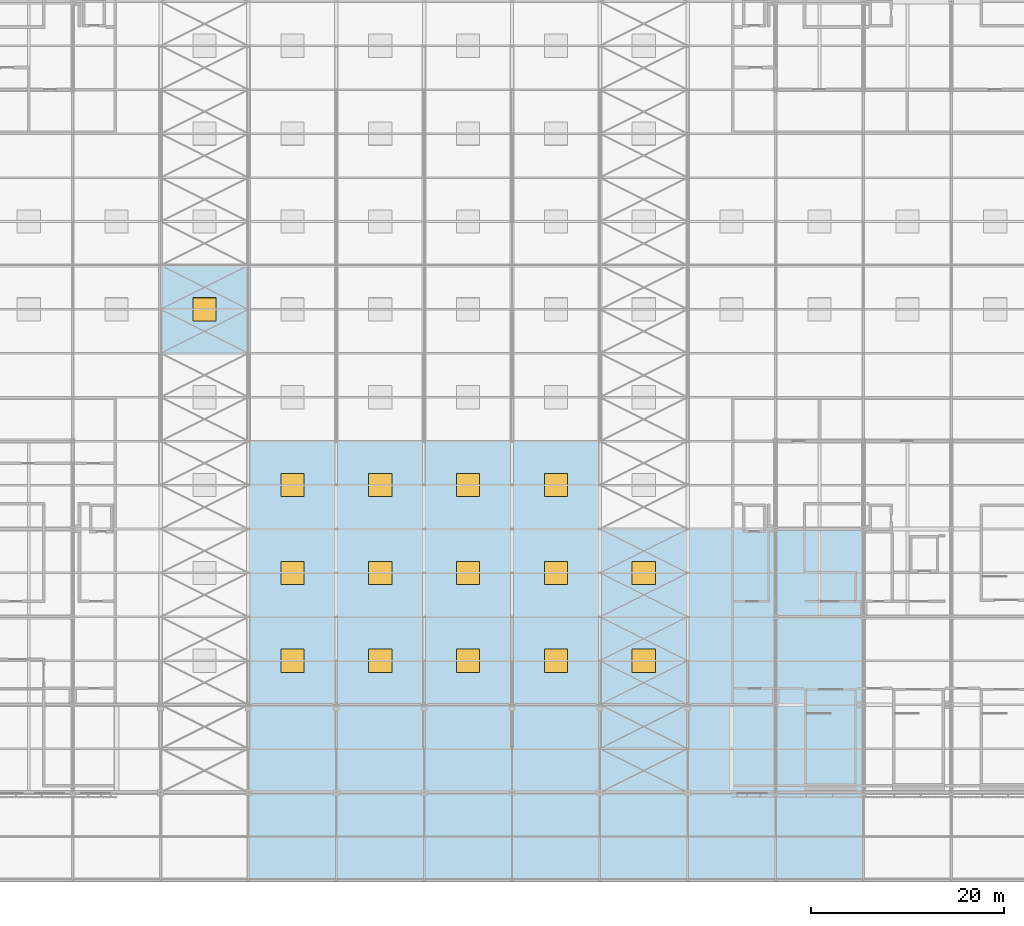
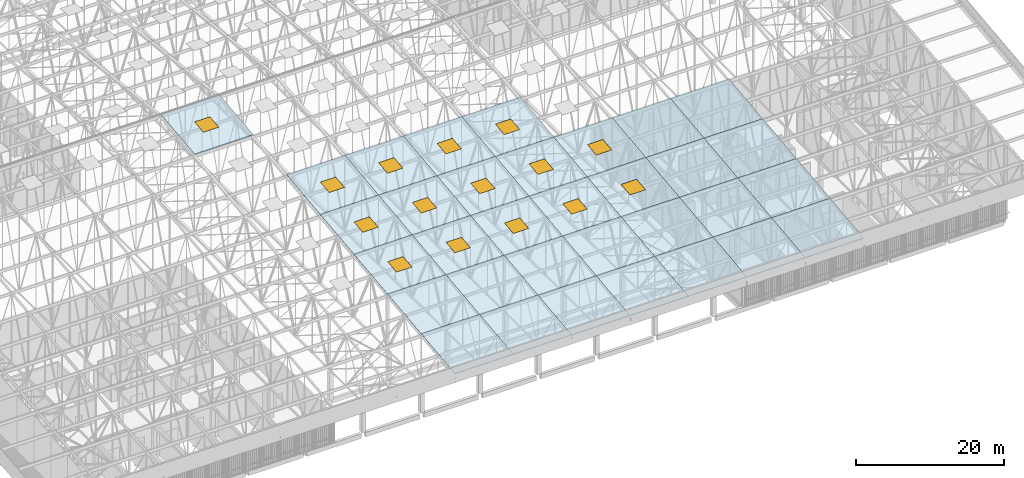
# One storey, part 418 of 500: 33 slabs, 15 windows, 15 openings.
"""IFC4 building model written with IfcOpenShell, lengths in metres."""

from ifc_helpers import new_model, si_unit, direction, frame, origin, origin_2d, place, context, subcontext, project, spatial, polyline, rectangle, outline, extrude, material, layer, layer_set, type_object, element, fill, save


model = new_model("IFC4")

# Units and contexts
model_context = context("Model", 3, precision=1e-05, world=origin(), true_north=direction((0.0, 1.0)))
body_context = subcontext(model_context, "Body", "Model", "MODEL_VIEW")
ifc_project = project(units=[si_unit("LENGTHUNIT", "METRE"), si_unit("AREAUNIT", "SQUARE_METRE"), si_unit("VOLUMEUNIT", "CUBIC_METRE"), si_unit("PLANEANGLEUNIT", "RADIAN"), si_unit("MASSUNIT", "GRAM", prefix="KILO")], contexts=[model_context])

# Site, building, storey
site_placement = place(None, origin())
site = spatial("IfcSite", under=ifc_project, at=site_placement, CompositionType="ELEMENT")
building_placement = place(site_placement, origin())
building = spatial("IfcBuilding", under=site, at=building_placement, Name="Shirokan Park Arena", CompositionType="ELEMENT")
storey_placement = place(building_placement, frame((0.0, 0.0, 29.1201171875)))
storey = spatial("IfcBuildingStorey", under=building, at=storey_placement, Name="L06", CompositionType="ELEMENT", Elevation=29.1201171875)

# Slab, opening, window
ifc_material_1 = material(Name="Concrete C30 precast", Category="concrete")
ifc_layer = layer(ifc_material_1, 0.1201171875)
ifc_layer_set = layer_set([ifc_layer], Name="Concrete C30 precast 120 mm")
slab_type = type_object("IfcSlabType", Name="Roof deck panel 120", PredefinedType="ROOF", material=ifc_layer_set)
slab_1_placement = place(storey_placement, frame((45.5, 45.5, 18.070556640625), z_axis=(0.0, -0.113549598152, 0.993532328996), x_axis=(1.0, 0.0, 0.0)))
slab_1 = element("IfcSlab", 1, at=slab_1_placement, inside=storey, type_object=slab_type, Name="Roof deck panel 7-7", PredefinedType="ROOF", context=body_context, shape_type="SweptSolid", body=[
    extrude(outline(polyline([(0.0, 0.0), (9.10009765625, 0.0), (9.10009765625, 9.15933723611117), (0.0, 9.15933723611117), (0.0, 0.0)]), holes=[polyline([(3.35009765625, 3.371926254389353), (5.75, 3.371926254389353), (5.75, 5.78743870379168), (3.35009765625, 5.78743870379168), (3.35009765625, 3.371926254389353)])]), origin(), (0.0, 0.0, -1.0), 0.1201171875),
])
opening_1_placement = place(slab_1_placement, frame((4.550048828125, 4.57958984375, 0.010009765625)))
opening_1 = element("IfcOpeningElement", 2, at=opening_1_placement, cuts=slab_1, Name="Opening RL1", PredefinedType="OPENING", context=body_context, shape_type="SweptSolid", body=[
    extrude(rectangle(XDim=2.39990234375, YDim=2.4155251658253154, at=origin_2d()), origin(), (0.0, 0.0, -1.0), 0.139892578125),
])
ifc_material_2 = material(Name="Aluminium frame with laminated glass", Category="aluminium")
window_type = type_object("IfcWindowType", Name="Roof light 2400x2400", PartitioningType="SINGLE_PANEL", PredefinedType="SKYLIGHT", material=ifc_material_2)
window_1_placement = place(opening_1_placement, frame((0.0, 0.0, -0.06005859375)))
window_1 = element("IfcWindow", 3, at=window_1_placement, inside=storey, type_object=window_type, Name="Roof light 07-07", OverallHeight=2.4155251658253154, OverallWidth=2.39990234375, PartitioningType="SINGLE_PANEL", PredefinedType="SKYLIGHT", context=body_context, shape_type="SweptSolid", body=[
    extrude(rectangle(XDim=2.39990234375, YDim=2.4155251658253154, at=origin_2d()), origin(), (0.0, 0.0, 1.0), 0.050048828125),
])
fill(opening_1, window_1)

# Slabs
for number, where, z_axis, x_axis, name in (
    (4, (54.60009765625, -9.10009765625, 11.83056640625), (0.0, -0.113549598152, 0.993532328996), (1.0, 0.0, 0.0), "Roof deck panel 8-1"),
    (5, (54.60009765625, 0.0, 12.87060546875), (0.0, -0.113549598152, 0.993532328996), (1.0, 0.0, 0.0), "Roof deck panel 8-2"),
):
    element("IfcSlab", number, at=place(storey_placement, frame(where, z_axis=z_axis, x_axis=x_axis)), inside=storey, type_object=slab_type, Name=name, PredefinedType="ROOF", context=body_context, shape_type="SweptSolid", body=[
        extrude(outline(polyline([(0.0, 0.0), (9.099853515625, 0.0), (9.099853515625, 9.15933723611117), (0.0, 9.15933723611117), (0.0, 0.0)])), origin(), (0.0, 0.0, -1.0), 0.1201171875),
    ])

# Slab, opening, window
slab_2_placement = place(storey_placement, frame((54.60009765625, 9.10009765625, 13.91064453125), z_axis=(0.0, -0.113552605302, 0.993531985308), x_axis=(1.0, 0.0, 0.0)))
slab_2 = element("IfcSlab", 6, at=slab_2_placement, inside=storey, type_object=slab_type, Name="Roof deck panel 8-3", PredefinedType="ROOF", context=body_context, shape_type="SweptSolid", body=[
    extrude(outline(polyline([(0.0, 0.0), (9.099853515625, 0.0), (9.099853515625, 9.159094674549365), (0.0, 9.159094674549365), (0.0, 0.0)]), holes=[polyline([(3.349853515625, 3.371655970585497), (5.75, 3.371655970585497), (5.75, 5.7874387039638675), (3.349853515625, 5.7874387039638675), (3.349853515625, 3.371655970585497)])]), origin(), (0.0, 0.0, -1.0), 0.1201171875),
])
opening_2_placement = place(slab_2_placement, frame((4.5498046875, 4.579345703125, 0.010009765625)))
opening_2 = element("IfcOpeningElement", 7, at=opening_2_placement, cuts=slab_2, Name="Opening RL1", PredefinedType="OPENING", context=body_context, shape_type="SweptSolid", body=[
    extrude(rectangle(XDim=2.39990234375, YDim=2.415526001417119, at=origin_2d()), origin(), (0.0, 0.0, -1.0), 0.139892578125),
])
window_2_placement = place(opening_2_placement, frame((0.0, 0.0, -0.06005859375)))
window_2 = element("IfcWindow", 8, at=window_2_placement, inside=storey, type_object=window_type, Name="Roof light 08-03", OverallHeight=2.415526001417119, OverallWidth=2.39990234375, PartitioningType="SINGLE_PANEL", PredefinedType="SKYLIGHT", context=body_context, shape_type="SweptSolid", body=[
    extrude(rectangle(XDim=2.39990234375, YDim=2.415526001417119, at=origin_2d()), origin(), (0.0, 0.0, 1.0), 0.050048828125),
])
fill(opening_2, window_2)

slab_3_placement = place(storey_placement, frame((54.60009765625, 18.199951171875, 14.95068359375), z_axis=(0.0, -0.113549598152, 0.993532328996), x_axis=(1.0, 0.0, 0.0)))
slab_3 = element("IfcSlab", 9, at=slab_3_placement, inside=storey, type_object=slab_type, Name="Roof deck panel 8-4", PredefinedType="ROOF", context=body_context, shape_type="SweptSolid", body=[
    extrude(outline(polyline([(0.0, 0.0), (9.099853515625, 0.0), (9.099853515625, 9.15933723611117), (0.0, 9.15933723611117), (0.0, 0.0)]), holes=[polyline([(3.349853515625, 3.371898532319491), (5.75, 3.371898532319491), (5.75, 5.787438703791679), (3.349853515625, 5.787438703791679), (3.349853515625, 3.371898532319491)])]), origin(), (0.0, 0.0, -1.0), 0.1201171875),
])
opening_3_placement = place(slab_3_placement, frame((4.5498046875, 4.57958984375, 0.010009765625)))
opening_3 = element("IfcOpeningElement", 10, at=opening_3_placement, cuts=slab_3, Name="Opening RL1", PredefinedType="OPENING", context=body_context, shape_type="SweptSolid", body=[
    extrude(rectangle(XDim=2.39990234375, YDim=2.4155251658253154, at=origin_2d()), origin(), (0.0, 0.0, -1.0), 0.139892578125),
])
window_3_placement = place(opening_3_placement, frame((0.0, 0.0, -0.06005859375)))
window_3 = element("IfcWindow", 11, at=window_3_placement, inside=storey, type_object=window_type, Name="Roof light 08-04", OverallHeight=2.4155251658253154, OverallWidth=2.39990234375, PartitioningType="SINGLE_PANEL", PredefinedType="SKYLIGHT", context=body_context, shape_type="SweptSolid", body=[
    extrude(rectangle(XDim=2.39990234375, YDim=2.4155251658253154, at=origin_2d()), origin(), (0.0, 0.0, 1.0), 0.050048828125),
])
fill(opening_3, window_3)

slab_4_placement = place(storey_placement, frame((54.60009765625, 27.300048828125, 15.99072265625), z_axis=(0.0, -0.113552605302, 0.993531985308), x_axis=(1.0, 0.0, 0.0)))
slab_4 = element("IfcSlab", 12, at=slab_4_placement, inside=storey, type_object=slab_type, Name="Roof deck panel 8-5", PredefinedType="ROOF", context=body_context, shape_type="SweptSolid", body=[
    extrude(outline(polyline([(0.0, 0.0), (9.099853515625, 0.0), (9.099853515625, 9.159094674549365), (0.0, 9.159094674549365), (0.0, 0.0)]), holes=[polyline([(3.349853515625, 3.371655970585497), (5.75, 3.371655970585497), (5.75, 5.787410981159839), (3.349853515625, 5.787410981159839), (3.349853515625, 3.371655970585497)])]), origin(), (0.0, 0.0, -1.0), 0.1201171875),
])
opening_4_placement = place(slab_4_placement, frame((4.5498046875, 4.57958984375, 0.010009765625)))
opening_4 = element("IfcOpeningElement", 13, at=opening_4_placement, cuts=slab_4, Name="Opening RL1", PredefinedType="OPENING", context=body_context, shape_type="SweptSolid", body=[
    extrude(rectangle(XDim=2.39990234375, YDim=2.415526001417119, at=origin_2d()), origin(), (0.0, 0.0, -1.0), 0.139892578125),
])
window_4_placement = place(opening_4_placement, frame((0.0, 0.0, -0.06005859375)))
window_4 = element("IfcWindow", 14, at=window_4_placement, inside=storey, type_object=window_type, Name="Roof light 08-05", OverallHeight=2.415526001417119, OverallWidth=2.39990234375, PartitioningType="SINGLE_PANEL", PredefinedType="SKYLIGHT", context=body_context, shape_type="SweptSolid", body=[
    extrude(rectangle(XDim=2.39990234375, YDim=2.415526001417119, at=origin_2d()), origin(), (0.0, 0.0, 1.0), 0.050048828125),
])
fill(opening_4, window_4)

# Slabs
for number, where, z_axis, x_axis, name in (
    (15, (63.699951171875, -9.10009765625, 11.83056640625), (0.0, -0.113549598152, 0.993532328996), (1.0, 0.0, 0.0), "Roof deck panel 9-1"),
    (16, (63.699951171875, 0.0, 12.87060546875), (0.0, -0.113549598152, 0.993532328996), (1.0, 0.0, 0.0), "Roof deck panel 9-2"),
):
    element("IfcSlab", number, at=place(storey_placement, frame(where, z_axis=z_axis, x_axis=x_axis)), inside=storey, type_object=slab_type, Name=name, PredefinedType="ROOF", context=body_context, shape_type="SweptSolid", body=[
        extrude(outline(polyline([(0.0, 0.0), (9.10009765625, 0.0), (9.10009765625, 9.15933723611117), (0.0, 9.15933723611117), (0.0, 0.0)])), origin(), (0.0, 0.0, -1.0), 0.1201171875),
    ])

# Slab, opening, window
slab_5_placement = place(storey_placement, frame((63.699951171875, 9.10009765625, 13.91064453125), z_axis=(0.0, -0.113552605302, 0.993531985308), x_axis=(1.0, 0.0, 0.0)))
slab_5 = element("IfcSlab", 17, at=slab_5_placement, inside=storey, type_object=slab_type, Name="Roof deck panel 9-3", PredefinedType="ROOF", context=body_context, shape_type="SweptSolid", body=[
    extrude(outline(polyline([(0.0, 0.0), (9.10009765625, 0.0), (9.10009765625, 9.159094674549367), (0.0, 9.159094674549367), (0.0, 0.0)]), holes=[polyline([(3.35009765625, 3.3716559705854974), (5.75, 3.3716559705854974), (5.75, 5.787438703963868), (3.35009765625, 5.787438703963868), (3.35009765625, 3.3716559705854974)])]), origin(), (0.0, 0.0, -1.0), 0.1201171875),
])
opening_5_placement = place(slab_5_placement, frame((4.550048828125, 4.579345703125, 0.010009765625)))
opening_5 = element("IfcOpeningElement", 18, at=opening_5_placement, cuts=slab_5, Name="Opening RL1", PredefinedType="OPENING", context=body_context, shape_type="SweptSolid", body=[
    extrude(rectangle(XDim=2.39990234375, YDim=2.4155260014171187, at=origin_2d()), origin(), (0.0, 0.0, -1.0), 0.139892578125),
])
window_5_placement = place(opening_5_placement, frame((0.0, 0.0, -0.06005859375)))
window_5 = element("IfcWindow", 19, at=window_5_placement, inside=storey, type_object=window_type, Name="Roof light 09-03", OverallHeight=2.4155260014171187, OverallWidth=2.39990234375, PartitioningType="SINGLE_PANEL", PredefinedType="SKYLIGHT", context=body_context, shape_type="SweptSolid", body=[
    extrude(rectangle(XDim=2.39990234375, YDim=2.4155260014171187, at=origin_2d()), origin(), (0.0, 0.0, 1.0), 0.050048828125),
])
fill(opening_5, window_5)

slab_6_placement = place(storey_placement, frame((63.699951171875, 18.199951171875, 14.95068359375), z_axis=(0.0, -0.113549598152, 0.993532328996), x_axis=(1.0, 0.0, 0.0)))
slab_6 = element("IfcSlab", 20, at=slab_6_placement, inside=storey, type_object=slab_type, Name="Roof deck panel 9-4", PredefinedType="ROOF", context=body_context, shape_type="SweptSolid", body=[
    extrude(outline(polyline([(0.0, 0.0), (9.10009765625, 0.0), (9.10009765625, 9.15933723611117), (0.0, 9.15933723611117), (0.0, 0.0)]), holes=[polyline([(3.35009765625, 3.3718985323194914), (5.75, 3.3718985323194914), (5.75, 5.78743870379168), (3.35009765625, 5.78743870379168), (3.35009765625, 3.3718985323194914)])]), origin(), (0.0, 0.0, -1.0), 0.1201171875),
])
opening_6_placement = place(slab_6_placement, frame((4.550048828125, 4.57958984375, 0.010009765625)))
opening_6 = element("IfcOpeningElement", 21, at=opening_6_placement, cuts=slab_6, Name="Opening RL1", PredefinedType="OPENING", context=body_context, shape_type="SweptSolid", body=[
    extrude(rectangle(XDim=2.39990234375, YDim=2.4155251658253154, at=origin_2d()), origin(), (0.0, 0.0, -1.0), 0.139892578125),
])
window_6_placement = place(opening_6_placement, frame((0.0, 0.0, -0.06005859375)))
window_6 = element("IfcWindow", 22, at=window_6_placement, inside=storey, type_object=window_type, Name="Roof light 09-04", OverallHeight=2.4155251658253154, OverallWidth=2.39990234375, PartitioningType="SINGLE_PANEL", PredefinedType="SKYLIGHT", context=body_context, shape_type="SweptSolid", body=[
    extrude(rectangle(XDim=2.39990234375, YDim=2.4155251658253154, at=origin_2d()), origin(), (0.0, 0.0, 1.0), 0.050048828125),
])
fill(opening_6, window_6)

slab_7_placement = place(storey_placement, frame((63.699951171875, 27.300048828125, 15.99072265625), z_axis=(0.0, -0.113552605302, 0.993531985308), x_axis=(1.0, 0.0, 0.0)))
slab_7 = element("IfcSlab", 23, at=slab_7_placement, inside=storey, type_object=slab_type, Name="Roof deck panel 9-5", PredefinedType="ROOF", context=body_context, shape_type="SweptSolid", body=[
    extrude(outline(polyline([(0.0, 0.0), (9.10009765625, 0.0), (9.10009765625, 9.159094674549367), (0.0, 9.159094674549367), (0.0, 0.0)]), holes=[polyline([(3.35009765625, 3.3716559705854974), (5.75, 3.3716559705854974), (5.75, 5.78741098115984), (3.35009765625, 5.78741098115984), (3.35009765625, 3.3716559705854974)])]), origin(), (0.0, 0.0, -1.0), 0.1201171875),
])
opening_7_placement = place(slab_7_placement, frame((4.550048828125, 4.57958984375, 0.010009765625)))
opening_7 = element("IfcOpeningElement", 24, at=opening_7_placement, cuts=slab_7, Name="Opening RL1", PredefinedType="OPENING", context=body_context, shape_type="SweptSolid", body=[
    extrude(rectangle(XDim=2.39990234375, YDim=2.4155260014171187, at=origin_2d()), origin(), (0.0, 0.0, -1.0), 0.139892578125),
])
window_7_placement = place(opening_7_placement, frame((0.0, 0.0, -0.06005859375)))
window_7 = element("IfcWindow", 25, at=window_7_placement, inside=storey, type_object=window_type, Name="Roof light 09-05", OverallHeight=2.4155260014171187, OverallWidth=2.39990234375, PartitioningType="SINGLE_PANEL", PredefinedType="SKYLIGHT", context=body_context, shape_type="SweptSolid", body=[
    extrude(rectangle(XDim=2.39990234375, YDim=2.4155260014171187, at=origin_2d()), origin(), (0.0, 0.0, 1.0), 0.050048828125),
])
fill(opening_7, window_7)

# Slabs
for number, where, z_axis, x_axis, name in (
    (26, (72.800048828125, -9.10009765625, 11.83056640625), (0.0, -0.113549598152, 0.993532328996), (1.0, 0.0, 0.0), "Roof deck panel 10-1"),
    (27, (72.800048828125, 0.0, 12.87060546875), (0.0, -0.113549598152, 0.993532328996), (1.0, 0.0, 0.0), "Roof deck panel 10-2"),
):
    element("IfcSlab", number, at=place(storey_placement, frame(where, z_axis=z_axis, x_axis=x_axis)), inside=storey, type_object=slab_type, Name=name, PredefinedType="ROOF", context=body_context, shape_type="SweptSolid", body=[
        extrude(outline(polyline([(0.0, 0.0), (9.099853515625, 0.0), (9.099853515625, 9.15933723611117), (0.0, 9.15933723611117), (0.0, 0.0)])), origin(), (0.0, 0.0, -1.0), 0.1201171875),
    ])

# Slab, opening, window
slab_8_placement = place(storey_placement, frame((72.800048828125, 9.10009765625, 13.91064453125), z_axis=(0.0, -0.113552605302, 0.993531985308), x_axis=(1.0, 0.0, 0.0)))
slab_8 = element("IfcSlab", 28, at=slab_8_placement, inside=storey, type_object=slab_type, Name="Roof deck panel 10-3", PredefinedType="ROOF", context=body_context, shape_type="SweptSolid", body=[
    extrude(outline(polyline([(0.0, 0.0), (9.099853515625, 0.0), (9.099853515625, 9.159094674549365), (0.0, 9.159094674549365), (0.0, 0.0)]), holes=[polyline([(3.349853515625, 3.371655970585497), (5.75, 3.371655970585497), (5.75, 5.7874387039638675), (3.349853515625, 5.7874387039638675), (3.349853515625, 3.371655970585497)])]), origin(), (0.0, 0.0, -1.0), 0.1201171875),
])
opening_8_placement = place(slab_8_placement, frame((4.550048828125, 4.579345703125, 0.010009765625)))
opening_8 = element("IfcOpeningElement", 29, at=opening_8_placement, cuts=slab_8, Name="Opening RL1", PredefinedType="OPENING", context=body_context, shape_type="SweptSolid", body=[
    extrude(rectangle(XDim=2.39990234375, YDim=2.415526001417119, at=origin_2d()), origin(), (0.0, 0.0, -1.0), 0.139892578125),
])
window_8_placement = place(opening_8_placement, frame((0.0, 0.0, -0.06005859375)))
window_8 = element("IfcWindow", 30, at=window_8_placement, inside=storey, type_object=window_type, Name="Roof light 10-03", OverallHeight=2.415526001417119, OverallWidth=2.39990234375, PartitioningType="SINGLE_PANEL", PredefinedType="SKYLIGHT", context=body_context, shape_type="SweptSolid", body=[
    extrude(rectangle(XDim=2.39990234375, YDim=2.415526001417119, at=origin_2d()), origin(), (0.0, 0.0, 1.0), 0.050048828125),
])
fill(opening_8, window_8)

slab_9_placement = place(storey_placement, frame((72.800048828125, 18.199951171875, 14.95068359375), z_axis=(0.0, -0.113549598152, 0.993532328996), x_axis=(1.0, 0.0, 0.0)))
slab_9 = element("IfcSlab", 31, at=slab_9_placement, inside=storey, type_object=slab_type, Name="Roof deck panel 10-4", PredefinedType="ROOF", context=body_context, shape_type="SweptSolid", body=[
    extrude(outline(polyline([(0.0, 0.0), (9.099853515625, 0.0), (9.099853515625, 9.15933723611117), (0.0, 9.15933723611117), (0.0, 0.0)]), holes=[polyline([(3.349853515625, 3.371898532319491), (5.75, 3.371898532319491), (5.75, 5.787438703791679), (3.349853515625, 5.787438703791679), (3.349853515625, 3.371898532319491)])]), origin(), (0.0, 0.0, -1.0), 0.1201171875),
])
opening_9_placement = place(slab_9_placement, frame((4.550048828125, 4.57958984375, 0.010009765625)))
opening_9 = element("IfcOpeningElement", 32, at=opening_9_placement, cuts=slab_9, Name="Opening RL1", PredefinedType="OPENING", context=body_context, shape_type="SweptSolid", body=[
    extrude(rectangle(XDim=2.39990234375, YDim=2.4155251658253154, at=origin_2d()), origin(), (0.0, 0.0, -1.0), 0.139892578125),
])
window_9_placement = place(opening_9_placement, frame((0.0, 0.0, -0.06005859375)))
window_9 = element("IfcWindow", 33, at=window_9_placement, inside=storey, type_object=window_type, Name="Roof light 10-04", OverallHeight=2.4155251658253154, OverallWidth=2.39990234375, PartitioningType="SINGLE_PANEL", PredefinedType="SKYLIGHT", context=body_context, shape_type="SweptSolid", body=[
    extrude(rectangle(XDim=2.39990234375, YDim=2.4155251658253154, at=origin_2d()), origin(), (0.0, 0.0, 1.0), 0.050048828125),
])
fill(opening_9, window_9)

slab_10_placement = place(storey_placement, frame((72.800048828125, 27.300048828125, 15.99072265625), z_axis=(0.0, -0.113552605302, 0.993531985308), x_axis=(1.0, 0.0, 0.0)))
slab_10 = element("IfcSlab", 34, at=slab_10_placement, inside=storey, type_object=slab_type, Name="Roof deck panel 10-5", PredefinedType="ROOF", context=body_context, shape_type="SweptSolid", body=[
    extrude(outline(polyline([(0.0, 0.0), (9.099853515625, 0.0), (9.099853515625, 9.159094674549365), (0.0, 9.159094674549365), (0.0, 0.0)]), holes=[polyline([(3.349853515625, 3.371655970585497), (5.75, 3.371655970585497), (5.75, 5.787410981159839), (3.349853515625, 5.787410981159839), (3.349853515625, 3.371655970585497)])]), origin(), (0.0, 0.0, -1.0), 0.1201171875),
])
opening_10_placement = place(slab_10_placement, frame((4.550048828125, 4.57958984375, 0.010009765625)))
opening_10 = element("IfcOpeningElement", 35, at=opening_10_placement, cuts=slab_10, Name="Opening RL1", PredefinedType="OPENING", context=body_context, shape_type="SweptSolid", body=[
    extrude(rectangle(XDim=2.39990234375, YDim=2.415526001417119, at=origin_2d()), origin(), (0.0, 0.0, -1.0), 0.139892578125),
])
window_10_placement = place(opening_10_placement, frame((0.0, 0.0, -0.06005859375)))
window_10 = element("IfcWindow", 36, at=window_10_placement, inside=storey, type_object=window_type, Name="Roof light 10-05", OverallHeight=2.415526001417119, OverallWidth=2.39990234375, PartitioningType="SINGLE_PANEL", PredefinedType="SKYLIGHT", context=body_context, shape_type="SweptSolid", body=[
    extrude(rectangle(XDim=2.39990234375, YDim=2.415526001417119, at=origin_2d()), origin(), (0.0, 0.0, 1.0), 0.050048828125),
])
fill(opening_10, window_10)

# Slabs
for number, where, z_axis, x_axis, name in (
    (37, (81.89990234375, -9.10009765625, 11.83056640625), (0.0, -0.113549598152, 0.993532328996), (1.0, 0.0, 0.0), "Roof deck panel 11-1"),
    (38, (81.89990234375, 0.0, 12.87060546875), (0.0, -0.113549598152, 0.993532328996), (1.0, 0.0, 0.0), "Roof deck panel 11-2"),
):
    element("IfcSlab", number, at=place(storey_placement, frame(where, z_axis=z_axis, x_axis=x_axis)), inside=storey, type_object=slab_type, Name=name, PredefinedType="ROOF", context=body_context, shape_type="SweptSolid", body=[
        extrude(outline(polyline([(0.0, 0.0), (9.10009765625, 0.0), (9.10009765625, 9.15933723611117), (0.0, 9.15933723611117), (0.0, 0.0)])), origin(), (0.0, 0.0, -1.0), 0.1201171875),
    ])

# Slab, opening, window
slab_11_placement = place(storey_placement, frame((81.89990234375, 9.10009765625, 13.91064453125), z_axis=(0.0, -0.113552605302, 0.993531985308), x_axis=(1.0, 0.0, 0.0)))
slab_11 = element("IfcSlab", 39, at=slab_11_placement, inside=storey, type_object=slab_type, Name="Roof deck panel 11-3", PredefinedType="ROOF", context=body_context, shape_type="SweptSolid", body=[
    extrude(outline(polyline([(0.0, 0.0), (9.10009765625, 0.0), (9.10009765625, 9.159094674549367), (0.0, 9.159094674549367), (0.0, 0.0)]), holes=[polyline([(3.35009765625, 3.3716559705854974), (5.75, 3.3716559705854974), (5.75, 5.787438703963868), (3.35009765625, 5.787438703963868), (3.35009765625, 3.3716559705854974)])]), origin(), (0.0, 0.0, -1.0), 0.1201171875),
])
opening_11_placement = place(slab_11_placement, frame((4.550048828125, 4.579345703125, 0.010009765625)))
opening_11 = element("IfcOpeningElement", 40, at=opening_11_placement, cuts=slab_11, Name="Opening RL1", PredefinedType="OPENING", context=body_context, shape_type="SweptSolid", body=[
    extrude(rectangle(XDim=2.39990234375, YDim=2.4155260014171187, at=origin_2d()), origin(), (0.0, 0.0, -1.0), 0.139892578125),
])
window_11_placement = place(opening_11_placement, frame((0.0, 0.0, -0.06005859375)))
window_11 = element("IfcWindow", 41, at=window_11_placement, inside=storey, type_object=window_type, Name="Roof light 11-03", OverallHeight=2.4155260014171187, OverallWidth=2.39990234375, PartitioningType="SINGLE_PANEL", PredefinedType="SKYLIGHT", context=body_context, shape_type="SweptSolid", body=[
    extrude(rectangle(XDim=2.39990234375, YDim=2.4155260014171187, at=origin_2d()), origin(), (0.0, 0.0, 1.0), 0.050048828125),
])
fill(opening_11, window_11)

slab_12_placement = place(storey_placement, frame((81.89990234375, 18.199951171875, 14.95068359375), z_axis=(0.0, -0.113549598152, 0.993532328996), x_axis=(1.0, 0.0, 0.0)))
slab_12 = element("IfcSlab", 42, at=slab_12_placement, inside=storey, type_object=slab_type, Name="Roof deck panel 11-4", PredefinedType="ROOF", context=body_context, shape_type="SweptSolid", body=[
    extrude(outline(polyline([(0.0, 0.0), (9.10009765625, 0.0), (9.10009765625, 9.15933723611117), (0.0, 9.15933723611117), (0.0, 0.0)]), holes=[polyline([(3.35009765625, 3.3718985323194914), (5.75, 3.3718985323194914), (5.75, 5.78743870379168), (3.35009765625, 5.78743870379168), (3.35009765625, 3.3718985323194914)])]), origin(), (0.0, 0.0, -1.0), 0.1201171875),
])
opening_12_placement = place(slab_12_placement, frame((4.550048828125, 4.57958984375, 0.010009765625)))
opening_12 = element("IfcOpeningElement", 43, at=opening_12_placement, cuts=slab_12, Name="Opening RL1", PredefinedType="OPENING", context=body_context, shape_type="SweptSolid", body=[
    extrude(rectangle(XDim=2.39990234375, YDim=2.4155251658253154, at=origin_2d()), origin(), (0.0, 0.0, -1.0), 0.139892578125),
])
window_12_placement = place(opening_12_placement, frame((0.0, 0.0, -0.06005859375)))
window_12 = element("IfcWindow", 44, at=window_12_placement, inside=storey, type_object=window_type, Name="Roof light 11-04", OverallHeight=2.4155251658253154, OverallWidth=2.39990234375, PartitioningType="SINGLE_PANEL", PredefinedType="SKYLIGHT", context=body_context, shape_type="SweptSolid", body=[
    extrude(rectangle(XDim=2.39990234375, YDim=2.4155251658253154, at=origin_2d()), origin(), (0.0, 0.0, 1.0), 0.050048828125),
])
fill(opening_12, window_12)

slab_13_placement = place(storey_placement, frame((81.89990234375, 27.300048828125, 15.99072265625), z_axis=(0.0, -0.113552605302, 0.993531985308), x_axis=(1.0, 0.0, 0.0)))
slab_13 = element("IfcSlab", 45, at=slab_13_placement, inside=storey, type_object=slab_type, Name="Roof deck panel 11-5", PredefinedType="ROOF", context=body_context, shape_type="SweptSolid", body=[
    extrude(outline(polyline([(0.0, 0.0), (9.10009765625, 0.0), (9.10009765625, 9.159094674549367), (0.0, 9.159094674549367), (0.0, 0.0)]), holes=[polyline([(3.35009765625, 3.3716559705854974), (5.75, 3.3716559705854974), (5.75, 5.78741098115984), (3.35009765625, 5.78741098115984), (3.35009765625, 3.3716559705854974)])]), origin(), (0.0, 0.0, -1.0), 0.1201171875),
])
opening_13_placement = place(slab_13_placement, frame((4.550048828125, 4.57958984375, 0.010009765625)))
opening_13 = element("IfcOpeningElement", 46, at=opening_13_placement, cuts=slab_13, Name="Opening RL1", PredefinedType="OPENING", context=body_context, shape_type="SweptSolid", body=[
    extrude(rectangle(XDim=2.39990234375, YDim=2.4155260014171187, at=origin_2d()), origin(), (0.0, 0.0, -1.0), 0.139892578125),
])
window_13_placement = place(opening_13_placement, frame((0.0, 0.0, -0.06005859375)))
window_13 = element("IfcWindow", 47, at=window_13_placement, inside=storey, type_object=window_type, Name="Roof light 11-05", OverallHeight=2.4155260014171187, OverallWidth=2.39990234375, PartitioningType="SINGLE_PANEL", PredefinedType="SKYLIGHT", context=body_context, shape_type="SweptSolid", body=[
    extrude(rectangle(XDim=2.39990234375, YDim=2.4155260014171187, at=origin_2d()), origin(), (0.0, 0.0, 1.0), 0.050048828125),
])
fill(opening_13, window_13)

# Slabs
for number, where, z_axis, x_axis, name in (
    (48, (91.0, -9.10009765625, 11.83056640625), (0.0, -0.113549598152, 0.993532328996), (1.0, 0.0, 0.0), "Roof deck panel 12-1"),
    (49, (91.0, 0.0, 12.87060546875), (0.0, -0.113549598152, 0.993532328996), (1.0, 0.0, 0.0), "Roof deck panel 12-2"),
):
    element("IfcSlab", number, at=place(storey_placement, frame(where, z_axis=z_axis, x_axis=x_axis)), inside=storey, type_object=slab_type, Name=name, PredefinedType="ROOF", context=body_context, shape_type="SweptSolid", body=[
        extrude(outline(polyline([(0.0, 0.0), (9.10009765625, 0.0), (9.10009765625, 9.15933723611117), (0.0, 9.15933723611117), (0.0, 0.0)])), origin(), (0.0, 0.0, -1.0), 0.1201171875),
    ])

# Slab, opening, window
slab_14_placement = place(storey_placement, frame((91.0, 9.10009765625, 13.91064453125), z_axis=(0.0, -0.113552605302, 0.993531985308), x_axis=(1.0, 0.0, 0.0)))
slab_14 = element("IfcSlab", 50, at=slab_14_placement, inside=storey, type_object=slab_type, Name="Roof deck panel 12-3", PredefinedType="ROOF", context=body_context, shape_type="SweptSolid", body=[
    extrude(outline(polyline([(0.0, 0.0), (9.10009765625, 0.0), (9.10009765625, 9.159094674549367), (0.0, 9.159094674549367), (0.0, 0.0)]), holes=[polyline([(3.35009765625, 3.3716559705854974), (5.75, 3.3716559705854974), (5.75, 5.787438703963868), (3.35009765625, 5.787438703963868), (3.35009765625, 3.3716559705854974)])]), origin(), (0.0, 0.0, -1.0), 0.1201171875),
])
opening_14_placement = place(slab_14_placement, frame((4.550048828125, 4.579345703125, 0.010009765625)))
opening_14 = element("IfcOpeningElement", 51, at=opening_14_placement, cuts=slab_14, Name="Opening RL1", PredefinedType="OPENING", context=body_context, shape_type="SweptSolid", body=[
    extrude(rectangle(XDim=2.39990234375, YDim=2.4155260014171187, at=origin_2d()), origin(), (0.0, 0.0, -1.0), 0.139892578125),
])
window_14_placement = place(opening_14_placement, frame((0.0, 0.0, -0.06005859375)))
window_14 = element("IfcWindow", 52, at=window_14_placement, inside=storey, type_object=window_type, Name="Roof light 12-03", OverallHeight=2.4155260014171187, OverallWidth=2.39990234375, PartitioningType="SINGLE_PANEL", PredefinedType="SKYLIGHT", context=body_context, shape_type="SweptSolid", body=[
    extrude(rectangle(XDim=2.39990234375, YDim=2.4155260014171187, at=origin_2d()), origin(), (0.0, 0.0, 1.0), 0.050048828125),
])
fill(opening_14, window_14)

slab_15_placement = place(storey_placement, frame((91.0, 18.199951171875, 14.95068359375), z_axis=(0.0, -0.113549598152, 0.993532328996), x_axis=(1.0, 0.0, 0.0)))
slab_15 = element("IfcSlab", 53, at=slab_15_placement, inside=storey, type_object=slab_type, Name="Roof deck panel 12-4", PredefinedType="ROOF", context=body_context, shape_type="SweptSolid", body=[
    extrude(outline(polyline([(0.0, 0.0), (9.10009765625, 0.0), (9.10009765625, 9.15933723611117), (0.0, 9.15933723611117), (0.0, 0.0)]), holes=[polyline([(3.35009765625, 3.3718985323194914), (5.75, 3.3718985323194914), (5.75, 5.78743870379168), (3.35009765625, 5.78743870379168), (3.35009765625, 3.3718985323194914)])]), origin(), (0.0, 0.0, -1.0), 0.1201171875),
])
opening_15_placement = place(slab_15_placement, frame((4.550048828125, 4.57958984375, 0.010009765625)))
opening_15 = element("IfcOpeningElement", 54, at=opening_15_placement, cuts=slab_15, Name="Opening RL1", PredefinedType="OPENING", context=body_context, shape_type="SweptSolid", body=[
    extrude(rectangle(XDim=2.39990234375, YDim=2.4155251658253154, at=origin_2d()), origin(), (0.0, 0.0, -1.0), 0.139892578125),
])
window_15_placement = place(opening_15_placement, frame((0.0, 0.0, -0.06005859375)))
window_15 = element("IfcWindow", 55, at=window_15_placement, inside=storey, type_object=window_type, Name="Roof light 12-04", OverallHeight=2.4155251658253154, OverallWidth=2.39990234375, PartitioningType="SINGLE_PANEL", PredefinedType="SKYLIGHT", context=body_context, shape_type="SweptSolid", body=[
    extrude(rectangle(XDim=2.39990234375, YDim=2.4155251658253154, at=origin_2d()), origin(), (0.0, 0.0, 1.0), 0.050048828125),
])
fill(opening_15, window_15)

# Slabs
for number, where, z_axis, x_axis, name in (
    (56, (100.10009765625, -9.10009765625, 11.83056640625), (0.0, -0.113549598152, 0.993532328996), (1.0, 0.0, 0.0), "Roof deck panel 13-1"),
    (57, (100.10009765625, 0.0, 12.87060546875), (0.0, -0.113549598152, 0.993532328996), (1.0, 0.0, 0.0), "Roof deck panel 13-2"),
):
    element("IfcSlab", number, at=place(storey_placement, frame(where, z_axis=z_axis, x_axis=x_axis)), inside=storey, type_object=slab_type, Name=name, PredefinedType="ROOF", context=body_context, shape_type="SweptSolid", body=[
        extrude(outline(polyline([(0.0, 0.0), (9.099853515625, 0.0), (9.099853515625, 9.15933723611117), (0.0, 9.15933723611117), (0.0, 0.0)])), origin(), (0.0, 0.0, -1.0), 0.1201171875),
    ])
slab_16_placement = place(storey_placement, frame((100.10009765625, 9.10009765625, 13.91064453125), z_axis=(0.0, -0.113552605302, 0.993531985308), x_axis=(1.0, 0.0, 0.0)))
element("IfcSlab", 58, at=slab_16_placement, inside=storey, type_object=slab_type, Name="Roof deck panel 13-3", PredefinedType="ROOF", context=body_context, shape_type="SweptSolid", body=[
    extrude(outline(polyline([(0.0, 0.0), (9.099853515625, 0.0), (9.099853515625, 9.159094674549365), (0.0, 9.159094674549365), (0.0, 0.0)])), origin(), (0.0, 0.0, -1.0), 0.1201171875),
])
slab_17_placement = place(storey_placement, frame((100.10009765625, 18.199951171875, 14.95068359375), z_axis=(0.0, -0.113549598152, 0.993532328996), x_axis=(1.0, 0.0, 0.0)))
element("IfcSlab", 59, at=slab_17_placement, inside=storey, type_object=slab_type, Name="Roof deck panel 13-4", PredefinedType="ROOF", context=body_context, shape_type="SweptSolid", body=[
    extrude(outline(polyline([(0.0, 0.0), (9.099853515625, 0.0), (9.099853515625, 9.15933723611117), (0.0, 9.15933723611117), (0.0, 0.0)])), origin(), (0.0, 0.0, -1.0), 0.1201171875),
])
for number, where, z_axis, x_axis, name in (
    (60, (109.199951171875, -9.10009765625, 11.83056640625), (0.0, -0.113549598152, 0.993532328996), (1.0, 0.0, 0.0), "Roof deck panel 14-1"),
    (61, (109.199951171875, 0.0, 12.87060546875), (0.0, -0.113549598152, 0.993532328996), (1.0, 0.0, 0.0), "Roof deck panel 14-2"),
):
    element("IfcSlab", number, at=place(storey_placement, frame(where, z_axis=z_axis, x_axis=x_axis)), inside=storey, type_object=slab_type, Name=name, PredefinedType="ROOF", context=body_context, shape_type="SweptSolid", body=[
        extrude(outline(polyline([(0.0, 0.0), (9.10009765625, 0.0), (9.10009765625, 9.15933723611117), (0.0, 9.15933723611117), (0.0, 0.0)])), origin(), (0.0, 0.0, -1.0), 0.1201171875),
    ])
slab_18_placement = place(storey_placement, frame((109.199951171875, 9.10009765625, 13.91064453125), z_axis=(0.0, -0.113552605302, 0.993531985308), x_axis=(1.0, 0.0, 0.0)))
element("IfcSlab", 62, at=slab_18_placement, inside=storey, type_object=slab_type, Name="Roof deck panel 14-3", PredefinedType="ROOF", context=body_context, shape_type="SweptSolid", body=[
    extrude(outline(polyline([(0.0, 0.0), (9.10009765625, 0.0), (9.10009765625, 9.159094674549367), (0.0, 9.159094674549367), (0.0, 0.0)])), origin(), (0.0, 0.0, -1.0), 0.1201171875),
])
slab_19_placement = place(storey_placement, frame((109.199951171875, 18.199951171875, 14.95068359375), z_axis=(0.0, -0.113549598152, 0.993532328996), x_axis=(1.0, 0.0, 0.0)))
element("IfcSlab", 63, at=slab_19_placement, inside=storey, type_object=slab_type, Name="Roof deck panel 14-4", PredefinedType="ROOF", context=body_context, shape_type="SweptSolid", body=[
    extrude(outline(polyline([(0.0, 0.0), (9.10009765625, 0.0), (9.10009765625, 9.15933723611117), (0.0, 9.15933723611117), (0.0, 0.0)])), origin(), (0.0, 0.0, -1.0), 0.1201171875),
])

save(model, "model.ifc")
